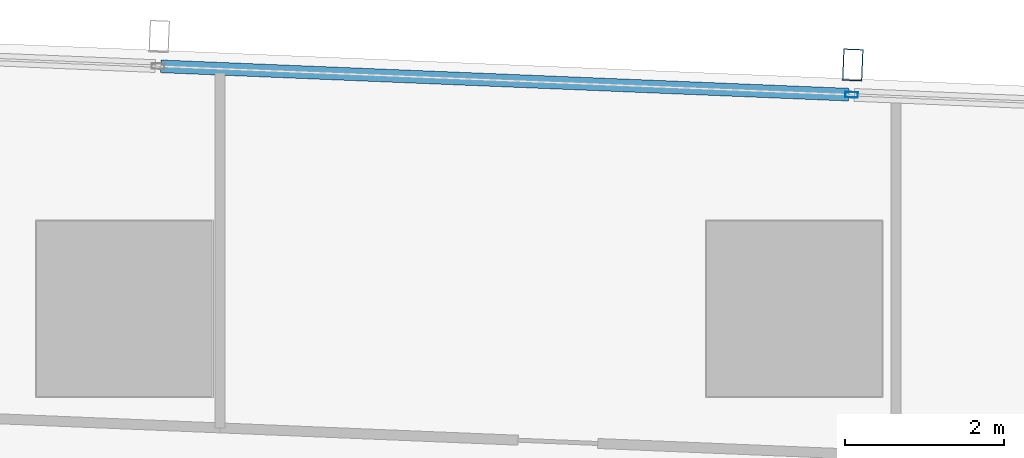
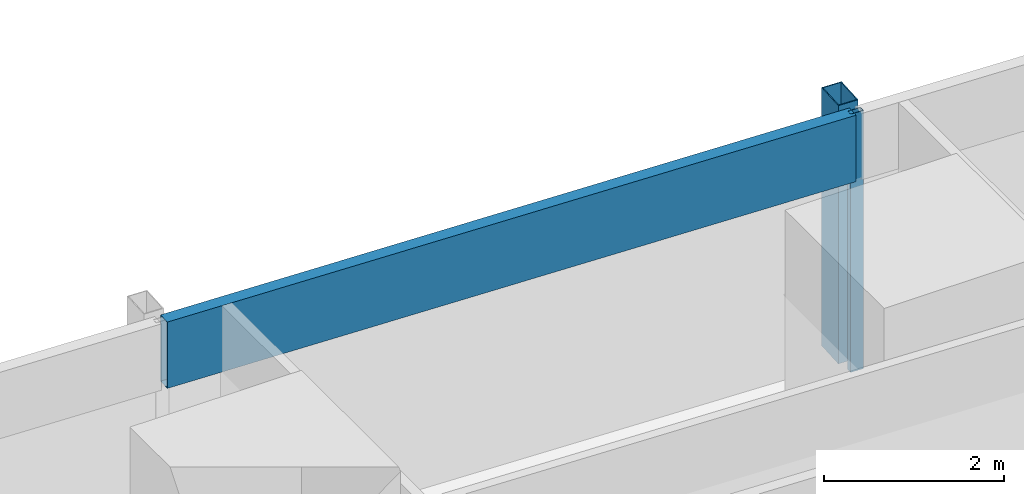
# One storey, part 21 of 45: 3 members, 1 element without a shape of its own.
"""IFC4 building model written with IfcOpenShell, lengths in metres."""

from ifc_helpers import new_model, si_unit, direction, frame, origin, origin_2d, place, context, subcontext, project, spatial, hollow_rectangle, extrude, material, material_profile, profile_set, type_object, element, aggregate, save


model = new_model("IFC4")

# Units and contexts
model_context = context("Model", 3, precision=1e-05, world=origin(), true_north=direction((0.0, 1.0)))
body_context = subcontext(model_context, "Body", "Model", "MODEL_VIEW")
ifc_project = project(units=[si_unit("LENGTHUNIT", "METRE"), si_unit("AREAUNIT", "SQUARE_METRE"), si_unit("VOLUMEUNIT", "CUBIC_METRE"), si_unit("PLANEANGLEUNIT", "RADIAN"), si_unit("MASSUNIT", "GRAM", prefix="KILO")], contexts=[model_context])

# Site, building, storey
site_placement = place(None, origin())
site = spatial("IfcSite", under=ifc_project, at=site_placement, CompositionType="ELEMENT")
building_placement = place(site_placement, origin())
building = spatial("IfcBuilding", under=site, at=building_placement, Name="Rekha Terrace Tower", CompositionType="ELEMENT")
storey_placement = place(building_placement, frame((0.0, 0.0, 32.89990234375)))
storey = spatial("IfcBuildingStorey", under=building, at=storey_placement, Name="L07", CompositionType="ELEMENT", Elevation=32.89990234375)

# Curtain wall, members
ifc_material_1 = material(Name="Aluminium framing", Category="aluminium")
curtain_wall_type = type_object("IfcCurtainWallType", Name="CW3 north unitised glazing", PredefinedType="USERDEFINED", material=ifc_material_1)
curtain_wall_placement = place(storey_placement, origin())
curtain_wall = element("IfcCurtainWall", 1, at=curtain_wall_placement, inside=storey, type_object=curtain_wall_type, Name="CW3 unitised curtain wall", ObjectType="UNITISED CURTAIN WALL", PredefinedType="USERDEFINED")
ifc_material_2 = material(Name="Steel S355 with fluorocarbon finish", Category="steel")
ifc_material_profile_1 = material_profile(ifc_material_2, hollow_rectangle(XDim=0.25, YDim=0.39990234375, WallThickness=0.012451171875, at=origin_2d()), Name="RHS400x250x12.5")
ifc_profile_set_1 = profile_set([ifc_material_profile_1], Name="Steel S355 with fluorocarbon finish")
member_type_1 = type_object("IfcMemberType", Name="BL1 facade blade RHS 400 x 250", PredefinedType="USERDEFINED", material=ifc_profile_set_1)
member_1_placement = place(storey_placement, frame((42.73388671875, 61.857421875, 0.0), z_axis=(0.0, 0.0, 1.0), x_axis=(-0.99915196507, 0.041174636562, 0.0)))
member_1 = element("IfcMember", 2, at=member_1_placement, type_object=member_type_1, Name="Facade blade", ObjectType="FACADE BLADE", PredefinedType="USERDEFINED", context=body_context, shape_type="SweptSolid", body=[
    extrude(hollow_rectangle(XDim=0.25, YDim=0.39990234375, WallThickness=0.012451171875, at=origin_2d()), origin(), (0.0, 0.0, 1.0), 3.5),
])
ifc_material_3 = material(Name="Aluminium mullion section", Category="aluminium")
ifc_material_profile_2 = material_profile(ifc_material_3, hollow_rectangle(XDim=0.070068359375, YDim=0.159912109375, WallThickness=0.00390625, at=origin_2d()), Name="AL RHS 70x160")
ifc_profile_set_2 = profile_set([ifc_material_profile_2], Name="Aluminium mullion section")
member_type_2 = type_object("IfcMemberType", Name="CW3 mullion RHS 70 x 160", PredefinedType="MULLION", material=ifc_profile_set_2)
member_2_placement = place(storey_placement, frame((42.718505859375, 61.48291015625, 0.0), z_axis=(0.0, 0.0, 1.0), x_axis=(-0.041173846041, -0.999151997647, 0.0)))
member_2 = element("IfcMember", 3, at=member_2_placement, type_object=member_type_2, Name="CW3 mullion 4", PredefinedType="MULLION", context=body_context, shape_type="SweptSolid", body=[
    extrude(hollow_rectangle(XDim=0.070068359375, YDim=0.159912109375, WallThickness=0.00390625, at=origin_2d()), origin(), (0.0, 0.0, 1.0), 3.5),
])
ifc_material_4 = material(Name="Insulated aluminium spandrel box", Category="aluminium")
ifc_material_profile_3 = material_profile(ifc_material_4, hollow_rectangle(XDim=0.159912109375, YDim=0.89990234375, WallThickness=0.0029296875, at=origin_2d()), Name="AL SPANDREL BOX 160x900")
ifc_profile_set_3 = profile_set([ifc_material_profile_3], Name="Insulated aluminium spandrel box")
member_type_3 = type_object("IfcMemberType", Name="CW3 spandrel transom 160 x 900", PredefinedType="USERDEFINED", material=ifc_profile_set_3)
member_3_placement = place(storey_placement, frame((42.68359375, 61.484375, 3.050048828125), z_axis=(-0.999152128669, 0.041170666459, 0.0), x_axis=(-0.041170666459, -0.999152128669, 0.0)))
member_3 = element("IfcMember", 4, at=member_3_placement, type_object=member_type_3, Name="CW3 spandrel transom 4", ObjectType="TRANSOM", PredefinedType="USERDEFINED", context=body_context, shape_type="SweptSolid", body=[
    extrude(hollow_rectangle(XDim=0.159912109375, YDim=0.89990234375, WallThickness=0.0029296875, at=origin_2d()), origin(), (0.0, 0.0, 1.0), 8.634033203125),
])
aggregate(curtain_wall, [member_2, member_3, member_1])

save(model, "model.ifc")
